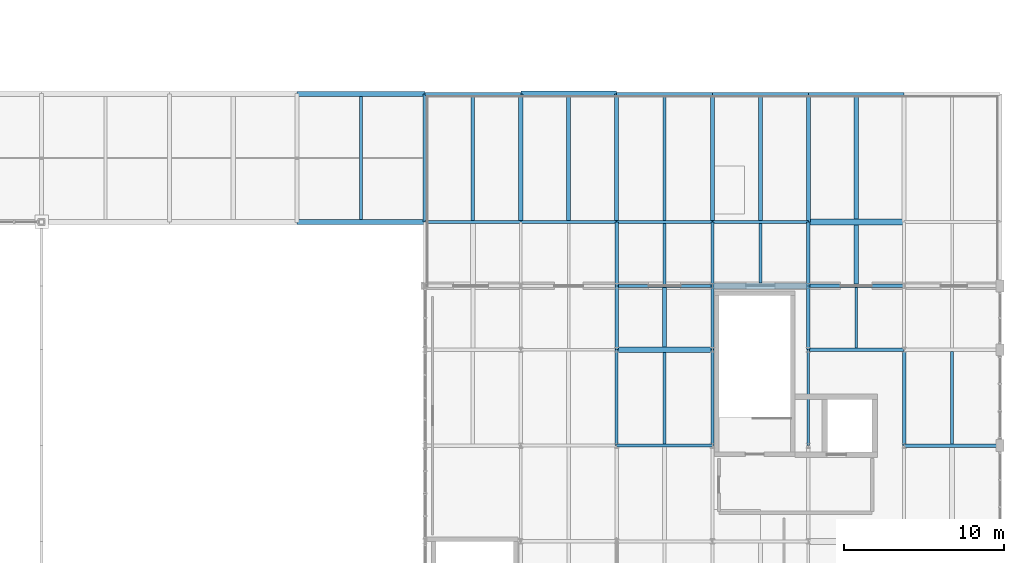
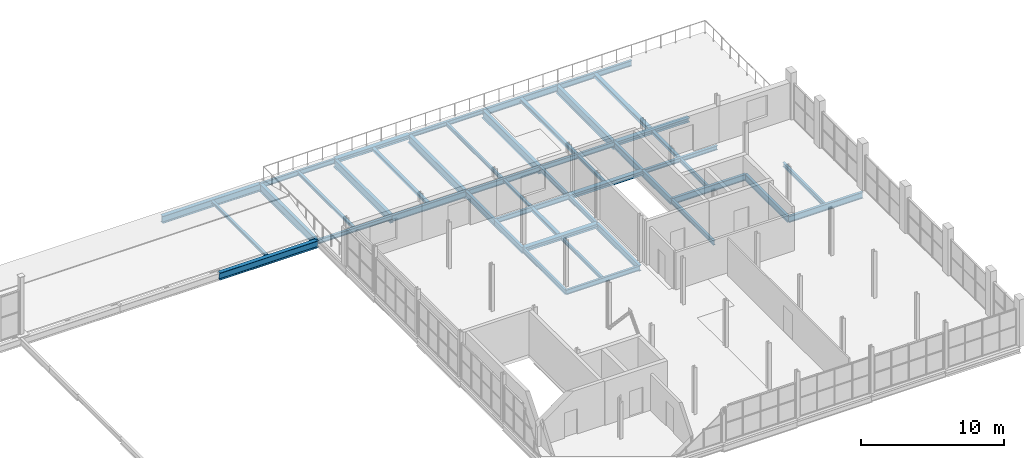
# One storey, part 70 of 96: 47 beams.
"""IFC4 building model written with IfcOpenShell, lengths in metres."""

from ifc_helpers import new_model, si_unit, direction, frame, origin, origin_2d, place, context, subcontext, project, spatial, i_section, extrude, material, material_profile, profile_set, type_object, element, save


model = new_model("IFC4")

# Units and contexts
model_context = context("Model", 3, precision=1e-05, world=origin(), true_north=direction((0.0, 1.0)))
body_context = subcontext(model_context, "Body", "Model", "MODEL_VIEW")
ifc_project = project(units=[si_unit("LENGTHUNIT", "METRE"), si_unit("AREAUNIT", "SQUARE_METRE"), si_unit("VOLUMEUNIT", "CUBIC_METRE"), si_unit("PLANEANGLEUNIT", "RADIAN"), si_unit("MASSUNIT", "GRAM", prefix="KILO")], contexts=[model_context])

# Site, building, storey
site_placement = place(None, origin())
site = spatial("IfcSite", under=ifc_project, at=site_placement, CompositionType="ELEMENT")
building_placement = place(site_placement, origin())
building = spatial("IfcBuilding", under=site, at=building_placement, Name="Verrall Gate Interchange", CompositionType="ELEMENT")
storey_placement = place(building_placement, frame((0.0, 0.0, 11.39990234375)))
storey = spatial("IfcBuildingStorey", under=building, at=storey_placement, Name="L03", CompositionType="ELEMENT", Elevation=11.39990234375)

# Beams
ifc_material_1 = material(Name="Structural Steel CSA G40.21 350WT Cat 4", Category="steel")
ifc_material_profile_1 = material_profile(ifc_material_1, i_section(OverallWidth=0.256103515625, OverallDepth=0.693115234375, WebThickness=0.01318359375, FlangeThickness=0.02001953125, FilletRadius=0.01611328125, at=origin_2d()), Name="W690x170")
ifc_profile_set_1 = profile_set([ifc_material_profile_1], Name="Structural Steel CSA G40.21 350WT Cat 4")
beam_type_1 = type_object("IfcBeamType", Name="B-07 Structural Beam W690x170", PredefinedType="BEAM", material=ifc_profile_set_1)
for number, where, z_axis, x_axis, name in (
    (1, (132.0, 48.0, -0.676513671875), (0.0, 1.0, 0.0), (-1.0, 0.0, 0.0), "L03 Girder BM-L03-2330 (B-07)"),
    (2, (138.0, 48.0, -0.676513671875), (0.0, 1.0, 0.0), (-1.0, 0.0, 0.0), "L03 Girder BM-L03-2338 (B-07)"),
    (3, (144.0, 48.0, -0.676513671875), (0.0, 1.0, 0.0), (-1.0, 0.0, 0.0), "L03 Girder BM-L03-2346 (B-07)"),
    (4, (150.0, 48.0, -0.676513671875), (0.0, 1.0, 0.0), (-1.0, 0.0, 0.0), "L03 Girder BM-L03-2354 (B-07)"),
    (5, (156.0, 48.0, -0.676513671875), (0.0, 1.0, 0.0), (-1.0, 0.0, 0.0), "L03 Girder BM-L03-2362 (B-07)"),
):
    element("IfcBeam", number, at=place(storey_placement, frame(where, z_axis=z_axis, x_axis=x_axis)), inside=storey, type_object=beam_type_1, Name=name, PredefinedType="BEAM", context=body_context, shape_type="SweptSolid", body=[
        extrude(i_section(OverallWidth=0.256103515625, OverallDepth=0.693115234375, WebThickness=0.01318359375, FlangeThickness=0.02001953125, FilletRadius=0.01611328125, at=origin_2d()), origin(), (0.0, 0.0, 1.0), 8.0),
    ])
ifc_material_2 = material(Name="Structural Steel CSA G40.21 350WT Cat 4", Category="steel")
ifc_material_profile_2 = material_profile(ifc_material_2, i_section(OverallWidth=0.323974609375, OverallDepth=0.611083984375, WebThickness=0.0126953125, FlangeThickness=0.01904296875, FilletRadius=0.014892578125, at=origin_2d()), Name="W610x155")
ifc_profile_set_2 = profile_set([ifc_material_profile_2], Name="Structural Steel CSA G40.21 350WT Cat 4")
beam_type_2 = type_object("IfcBeamType", Name="B-08 Structural Beam W610x155", PredefinedType="BEAM", material=ifc_profile_set_2)
for number, where, z_axis, x_axis, name in (
    (6, (124.0, 48.0, -0.635498046875), (1.0, 0.0, 0.0), (0.0, 1.0, 0.0), "L03 Girder BM-L03-2121 (B-08)"),
    (7, (124.0, 56.0, -0.635498046875), (1.0, 0.0, 0.0), (0.0, 1.0, 0.0), "L03 Girder BM-L03-2143 (B-08)"),
):
    element("IfcBeam", number, at=place(storey_placement, frame(where, z_axis=z_axis, x_axis=x_axis)), inside=storey, type_object=beam_type_2, Name=name, PredefinedType="BEAM", context=body_context, shape_type="SweptSolid", body=[
        extrude(i_section(OverallWidth=0.323974609375, OverallDepth=0.611083984375, WebThickness=0.0126953125, FlangeThickness=0.01904296875, FilletRadius=0.014892578125, at=origin_2d()), origin(), (0.0, 0.0, 1.0), 8.0),
    ])
ifc_material_3 = material(Name="Structural Steel CSA G40.21 350W", Category="steel")
ifc_material_profile_3 = material_profile(ifc_material_3, i_section(OverallWidth=0.2109375, OverallDepth=0.5390625, WebThickness=0.01171875, FlangeThickness=0.018798828125, FilletRadius=0.013916015625, at=origin_2d()), Name="W530x109")
ifc_profile_set_3 = profile_set([ifc_material_profile_3], Name="Structural Steel CSA G40.21 350W")
beam_type_3 = type_object("IfcBeamType", Name="B-10 Structural Beam W530x109", PredefinedType="BEAM", material=ifc_profile_set_3)
for number, where, z_axis, x_axis, name in (
    (8, (162.0, 34.0, -0.599365234375), (1.0, 0.0, 0.0), (0.0, 1.0, 0.0), "L03 Girder BM-L03-2073 (B-10)"),
    (9, (156.0, 40.0, -0.599365234375), (1.0, 0.0, 0.0), (0.0, 1.0, 0.0), "L03 Girder BM-L03-2083 (B-10)"),
    (10, (138.0, 48.0, -0.599365234375), (1.0, 0.0, 0.0), (0.0, 1.0, 0.0), "L03 Girder BM-L03-2123 (B-10)"),
    (11, (150.0, 56.0, -0.599365234375), (1.0, 0.0, 0.0), (0.0, 1.0, 0.0), "L03 Girder BM-L03-2147 (B-10)"),
):
    element("IfcBeam", number, at=place(storey_placement, frame(where, z_axis=z_axis, x_axis=x_axis)), inside=storey, type_object=beam_type_3, Name=name, PredefinedType="BEAM", context=body_context, shape_type="SweptSolid", body=[
        extrude(i_section(OverallWidth=0.2109375, OverallDepth=0.5390625, WebThickness=0.01171875, FlangeThickness=0.018798828125, FilletRadius=0.013916015625, at=origin_2d()), origin(), (0.0, 0.0, 1.0), 6.0),
    ])
for number, where, z_axis, x_axis, name in (
    (12, (144.0, 40.0, -0.599365234375), (0.0, 1.0, 0.0), (-1.0, 0.0, 0.0), "L03 Girder BM-L03-2344 (B-10)"),
    (13, (144.0, 44.0, -0.599365234375), (0.0, 1.0, 0.0), (-1.0, 0.0, 0.0), "L03 Girder BM-L03-2345 (B-10)"),
):
    element("IfcBeam", number, at=place(storey_placement, frame(where, z_axis=z_axis, x_axis=x_axis)), inside=storey, type_object=beam_type_3, Name=name, PredefinedType="BEAM", context=body_context, shape_type="SweptSolid", body=[
        extrude(i_section(OverallWidth=0.2109375, OverallDepth=0.5390625, WebThickness=0.01171875, FlangeThickness=0.018798828125, FilletRadius=0.013916015625, at=origin_2d()), origin(), (0.0, 0.0, 1.0), 4.0),
    ])
beam_1_placement = place(storey_placement, frame((150.0, 34.0, -0.599365234375), z_axis=(0.0, 1.0, 0.0), x_axis=(-1.0, 0.0, 0.0)))
element("IfcBeam", 14, at=beam_1_placement, inside=storey, type_object=beam_type_3, Name="L03 Girder BM-L03-2351 (B-10)", PredefinedType="BEAM", context=body_context, shape_type="SweptSolid", body=[
    extrude(i_section(OverallWidth=0.2109375, OverallDepth=0.5390625, WebThickness=0.01171875, FlangeThickness=0.018798828125, FilletRadius=0.013916015625, at=origin_2d()), origin(), (0.0, 0.0, 1.0), 6.0),
])
for number, where, z_axis, x_axis, name in (
    (15, (156.0, 40.0, -0.599365234375), (0.0, 1.0, 0.0), (-1.0, 0.0, 0.0), "L03 Girder BM-L03-2360 (B-10)"),
    (16, (156.0, 44.0, -0.599365234375), (0.0, 1.0, 0.0), (-1.0, 0.0, 0.0), "L03 Girder BM-L03-2361 (B-10)"),
):
    element("IfcBeam", number, at=place(storey_placement, frame(where, z_axis=z_axis, x_axis=x_axis)), inside=storey, type_object=beam_type_3, Name=name, PredefinedType="BEAM", context=body_context, shape_type="SweptSolid", body=[
        extrude(i_section(OverallWidth=0.2109375, OverallDepth=0.5390625, WebThickness=0.01171875, FlangeThickness=0.018798828125, FilletRadius=0.013916015625, at=origin_2d()), origin(), (0.0, 0.0, 1.0), 4.0),
    ])
beam_2_placement = place(storey_placement, frame((162.0, 34.0, -0.599365234375), z_axis=(0.0, 1.0, 0.0), x_axis=(-1.0, 0.0, 0.0)))
element("IfcBeam", 17, at=beam_2_placement, inside=storey, type_object=beam_type_3, Name="L03 Girder BM-L03-2367 (B-10)", PredefinedType="BEAM", context=body_context, shape_type="SweptSolid", body=[
    extrude(i_section(OverallWidth=0.2109375, OverallDepth=0.5390625, WebThickness=0.01171875, FlangeThickness=0.018798828125, FilletRadius=0.013916015625, at=origin_2d()), origin(), (0.0, 0.0, 1.0), 6.0),
])
ifc_material_4 = material(Name="Structural Steel CSA G40.21 350W", Category="steel")
ifc_material_profile_4 = material_profile(ifc_material_4, i_section(OverallWidth=0.19189453125, OverallDepth=0.462890625, WebThickness=0.010498046875, FlangeThickness=0.017578125, FilletRadius=0.012939453125, at=origin_2d()), Name="W460x89")
ifc_profile_set_4 = profile_set([ifc_material_profile_4], Name="Structural Steel CSA G40.21 350W")
beam_type_4 = type_object("IfcBeamType", Name="B-11 Structural Beam W460x89", PredefinedType="BEAM", material=ifc_profile_set_4)
for number, where, z_axis, x_axis, name in (
    (18, (144.0, 48.0, -0.5615234375), (1.0, 0.0, 0.0), (0.0, 1.0, 0.0), "L03 Girder BM-L03-2124 (B-11)"),
    (19, (156.0, 56.0, -0.5615234375), (1.0, 0.0, 0.0), (0.0, 1.0, 0.0), "L03 Girder BM-L03-2148 (B-11)"),
):
    element("IfcBeam", number, at=place(storey_placement, frame(where, z_axis=z_axis, x_axis=x_axis)), inside=storey, type_object=beam_type_4, Name=name, PredefinedType="BEAM", context=body_context, shape_type="SweptSolid", body=[
        extrude(i_section(OverallWidth=0.19189453125, OverallDepth=0.462890625, WebThickness=0.010498046875, FlangeThickness=0.017578125, FilletRadius=0.012939453125, at=origin_2d()), origin(), (0.0, 0.0, 1.0), 6.0),
    ])
ifc_material_5 = material(Name="Structural Steel CSA G40.21 350W", Category="steel")
ifc_material_profile_5 = material_profile(ifc_material_5, i_section(OverallWidth=0.178955078125, OverallDepth=0.409912109375, WebThickness=0.0087890625, FlangeThickness=0.014404296875, FilletRadius=0.011962890625, at=origin_2d()), Name="W410x67")
ifc_profile_set_5 = profile_set([ifc_material_profile_5], Name="Structural Steel CSA G40.21 350W")
beam_type_5 = type_object("IfcBeamType", Name="B-12 Structural Beam W410x67", PredefinedType="BEAM", material=ifc_profile_set_5)
for number, where, z_axis, x_axis, name in (
    (20, (144.0, 34.0, -0.534912109375), (1.0, 0.0, 0.0), (0.0, 1.0, 0.0), "L03 Girder BM-L03-2072 (B-12)"),
    (21, (144.0, 44.0, -0.534912109375), (1.0, 0.0, 0.0), (0.0, 1.0, 0.0), "L03 Girder BM-L03-2099 (B-12)"),
    (22, (150.0, 48.0, -0.534912109375), (1.0, 0.0, 0.0), (0.0, 1.0, 0.0), "L03 Girder BM-L03-2125 (B-12)"),
    (23, (132.0, 56.0, -0.534912109375), (1.0, 0.0, 0.0), (0.0, 1.0, 0.0), "L03 Girder BM-L03-2144 (B-12)"),
    (24, (144.0, 34.0, -0.534912109375), (0.0, 1.0, 0.0), (-1.0, 0.0, 0.0), "L03 Girder BM-L03-2343 (B-12)"),
):
    element("IfcBeam", number, at=place(storey_placement, frame(where, z_axis=z_axis, x_axis=x_axis)), inside=storey, type_object=beam_type_5, Name=name, PredefinedType="BEAM", context=body_context, shape_type="SweptSolid", body=[
        extrude(i_section(OverallWidth=0.178955078125, OverallDepth=0.409912109375, WebThickness=0.0087890625, FlangeThickness=0.014404296875, FilletRadius=0.011962890625, at=origin_2d()), origin(), (0.0, 0.0, 1.0), 6.0),
    ])
for number, where, z_axis, x_axis, name in (
    (25, (150.0, 40.0, -0.534912109375), (0.0, 1.0, 0.0), (-1.0, 0.0, 0.0), "L03 Girder BM-L03-2352 (B-12)"),
    (26, (150.0, 44.0, -0.534912109375), (0.0, 1.0, 0.0), (-1.0, 0.0, 0.0), "L03 Girder BM-L03-2353 (B-12)"),
):
    element("IfcBeam", number, at=place(storey_placement, frame(where, z_axis=z_axis, x_axis=x_axis)), inside=storey, type_object=beam_type_5, Name=name, PredefinedType="BEAM", context=body_context, shape_type="SweptSolid", body=[
        extrude(i_section(OverallWidth=0.178955078125, OverallDepth=0.409912109375, WebThickness=0.0087890625, FlangeThickness=0.014404296875, FilletRadius=0.011962890625, at=origin_2d()), origin(), (0.0, 0.0, 1.0), 4.0),
    ])
beam_3_placement = place(storey_placement, frame((156.0, 34.0, -0.534912109375), z_axis=(0.0, 1.0, 0.0), x_axis=(-1.0, 0.0, 0.0)))
element("IfcBeam", 27, at=beam_3_placement, inside=storey, type_object=beam_type_5, Name="L03 Girder BM-L03-2359 (B-12)", PredefinedType="BEAM", context=body_context, shape_type="SweptSolid", body=[
    extrude(i_section(OverallWidth=0.178955078125, OverallDepth=0.409912109375, WebThickness=0.0087890625, FlangeThickness=0.014404296875, FilletRadius=0.011962890625, at=origin_2d()), origin(), (0.0, 0.0, 1.0), 6.0),
])
ifc_material_6 = material(Name="Structural Steel CSA G40.21 350W", Category="steel")
ifc_material_profile_6 = material_profile(ifc_material_6, i_section(OverallWidth=0.368896484375, OverallDepth=0.35595703125, WebThickness=0.01123046875, FlangeThickness=0.01806640625, FilletRadius=0.014892578125, at=origin_2d()), Name="W360x134")
ifc_profile_set_6 = profile_set([ifc_material_profile_6], Name="Structural Steel CSA G40.21 350W")
beam_type_6 = type_object("IfcBeamType", Name="B-13 Structural Beam W360x134", PredefinedType="BEAM", material=ifc_profile_set_6)
for number, where, z_axis, x_axis, name in (
    (28, (144.0, 40.0, -0.5078125), (1.0, 0.0, 0.0), (0.0, 1.0, 0.0), "L03 Girder BM-L03-2082 (B-13)"),
    (29, (150.0, 44.0, -0.5078125), (1.0, 0.0, 0.0), (0.0, 1.0, 0.0), "L03 Girder BM-L03-2100 (B-13)"),
    (30, (156.0, 48.0, -0.5078125), (1.0, 0.0, 0.0), (0.0, 1.0, 0.0), "L03 Girder BM-L03-2126 (B-13)"),
    (31, (138.0, 56.0, -0.5078125), (1.0, 0.0, 0.0), (0.0, 1.0, 0.0), "L03 Girder BM-L03-2145 (B-13)"),
):
    element("IfcBeam", number, at=place(storey_placement, frame(where, z_axis=z_axis, x_axis=x_axis)), inside=storey, type_object=beam_type_6, Name=name, PredefinedType="BEAM", context=body_context, shape_type="SweptSolid", body=[
        extrude(i_section(OverallWidth=0.368896484375, OverallDepth=0.35595703125, WebThickness=0.01123046875, FlangeThickness=0.01806640625, FilletRadius=0.014892578125, at=origin_2d()), origin(), (0.0, 0.0, 1.0), 6.0),
    ])
ifc_material_7 = material(Name="Structural Steel CSA G40.21 350W", Category="steel")
ifc_material_profile_7 = material_profile(ifc_material_7, i_section(OverallWidth=0.205078125, OverallDepth=0.35400390625, WebThickness=0.009521484375, FlangeThickness=0.016845703125, FilletRadius=0.012939453125, at=origin_2d()), Name="W360x79")
ifc_profile_set_7 = profile_set([ifc_material_profile_7], Name="Structural Steel CSA G40.21 350W")
beam_type_7 = type_object("IfcBeamType", Name="B-14 Structural Beam W360x79", PredefinedType="BEAM", material=ifc_profile_set_7)
for number, where, z_axis, x_axis, name in (
    (32, (156.0, 44.0, -0.5068359375), (1.0, 0.0, 0.0), (0.0, 1.0, 0.0), "L03 Girder BM-L03-2101 (B-14)"),
    (33, (132.0, 48.0, -0.5068359375), (1.0, 0.0, 0.0), (0.0, 1.0, 0.0), "L03 Girder BM-L03-2122 (B-14)"),
    (34, (144.0, 56.0, -0.5068359375), (1.0, 0.0, 0.0), (0.0, 1.0, 0.0), "L03 Girder BM-L03-2146 (B-14)"),
):
    element("IfcBeam", number, at=place(storey_placement, frame(where, z_axis=z_axis, x_axis=x_axis)), inside=storey, type_object=beam_type_7, Name=name, PredefinedType="BEAM", context=body_context, shape_type="SweptSolid", body=[
        extrude(i_section(OverallWidth=0.205078125, OverallDepth=0.35400390625, WebThickness=0.009521484375, FlangeThickness=0.016845703125, FilletRadius=0.012939453125, at=origin_2d()), origin(), (0.0, 0.0, 1.0), 6.0),
    ])
ifc_material_8 = material(Name="Structural Steel CSA G40.21 350W", Category="steel")
ifc_material_profile_8 = material_profile(ifc_material_8, i_section(OverallWidth=0.172119140625, OverallDepth=0.35791015625, WebThickness=0.0078125, FlangeThickness=0.01318359375, FilletRadius=0.010986328125, at=origin_2d()), Name="W360x57")
ifc_profile_set_8 = profile_set([ifc_material_profile_8], Name="Structural Steel CSA G40.21 350W")
beam_type_8 = type_object("IfcBeamType", Name="J-01 Floor Joist W360x57", PredefinedType="JOIST", material=ifc_profile_set_8)
beam_4_placement = place(storey_placement, frame((165.0, 34.10546875, -0.5087890625), z_axis=(0.0, 1.0, 0.0), x_axis=(-1.0, 0.0, 0.0)))
element("IfcBeam", 35, at=beam_4_placement, inside=storey, type_object=beam_type_8, Name="L03 Secondary Floor Joist JST-L03-2453", PredefinedType="JOIST", context=body_context, shape_type="SweptSolid", body=[
    extrude(i_section(OverallWidth=0.172119140625, OverallDepth=0.35791015625, WebThickness=0.0078125, FlangeThickness=0.01318359375, FilletRadius=0.010986328125, at=origin_2d()), origin(), (0.0, 0.0, 1.0), 5.798583984375),
])
beam_5_placement = place(storey_placement, frame((159.0, 40.10546875, -0.5087890625), z_axis=(0.0, 1.0, 0.0), x_axis=(-1.0, 0.0, 0.0)))
element("IfcBeam", 36, at=beam_5_placement, inside=storey, type_object=beam_type_8, Name="L03 Secondary Floor Joist JST-L03-2461", PredefinedType="JOIST", context=body_context, shape_type="SweptSolid", body=[
    extrude(i_section(OverallWidth=0.172119140625, OverallDepth=0.35791015625, WebThickness=0.0078125, FlangeThickness=0.01318359375, FilletRadius=0.010986328125, at=origin_2d()), origin(), (0.0, 0.0, 1.0), 3.7919921875),
])
ifc_material_9 = material(Name="Structural Steel CSA G40.21 350W", Category="steel")
ifc_material_profile_9 = material_profile(ifc_material_9, i_section(OverallWidth=0.306884765625, OverallDepth=0.31396484375, WebThickness=0.011962890625, FlangeThickness=0.018798828125, FilletRadius=0.013916015625, at=origin_2d()), Name="W310x118")
ifc_profile_set_9 = profile_set([ifc_material_profile_9], Name="Structural Steel CSA G40.21 350W")
beam_type_9 = type_object("IfcBeamType", Name="J-02 Floor Joist W310x118", PredefinedType="JOIST", material=ifc_profile_set_9)
beam_6_placement = place(storey_placement, frame((159.0, 48.1845703125, -0.48681640625), z_axis=(0.0, 1.0, 0.0), x_axis=(-1.0, 0.0, 0.0)))
element("IfcBeam", 37, at=beam_6_placement, inside=storey, type_object=beam_type_9, Name="L03 Secondary Floor Joist JST-L03-2499", PredefinedType="JOIST", context=body_context, shape_type="SweptSolid", body=[
    extrude(i_section(OverallWidth=0.306884765625, OverallDepth=0.31396484375, WebThickness=0.011962890625, FlangeThickness=0.018798828125, FilletRadius=0.013916015625, at=origin_2d()), origin(), (0.0, 0.0, 1.0), 7.719482421875),
])
ifc_material_10 = material(Name="Structural Steel CSA G40.21 350W", Category="steel")
ifc_material_profile_10 = material_profile(ifc_material_10, i_section(OverallWidth=0.25390625, OverallDepth=0.305908203125, WebThickness=0.0087890625, FlangeThickness=0.0146484375, FilletRadius=0.012939453125, at=origin_2d()), Name="W310x79")
ifc_profile_set_10 = profile_set([ifc_material_profile_10], Name="Structural Steel CSA G40.21 350W")
beam_type_10 = type_object("IfcBeamType", Name="J-03 Floor Joist W310x79", PredefinedType="JOIST", material=ifc_profile_set_10)
beam_7_placement = place(storey_placement, frame((147.0, 40.1845703125, -0.48291015625), z_axis=(0.0, 1.0, 0.0), x_axis=(-1.0, 0.0, 0.0)))
element("IfcBeam", 38, at=beam_7_placement, inside=storey, type_object=beam_type_10, Name="L03 Secondary Floor Joist JST-L03-2460", PredefinedType="JOIST", context=body_context, shape_type="SweptSolid", body=[
    extrude(i_section(OverallWidth=0.25390625, OverallDepth=0.305908203125, WebThickness=0.0087890625, FlangeThickness=0.0146484375, FilletRadius=0.012939453125, at=origin_2d()), origin(), (0.0, 0.0, 1.0), 3.725830078125),
])
beam_8_placement = place(storey_placement, frame((153.0, 48.089599609375, -0.48291015625), z_axis=(0.0, 1.0, 0.0), x_axis=(-1.0, 0.0, 0.0)))
element("IfcBeam", 39, at=beam_8_placement, inside=storey, type_object=beam_type_10, Name="L03 Secondary Floor Joist JST-L03-2498", PredefinedType="JOIST", context=body_context, shape_type="SweptSolid", body=[
    extrude(i_section(OverallWidth=0.25390625, OverallDepth=0.305908203125, WebThickness=0.0087890625, FlangeThickness=0.0146484375, FilletRadius=0.012939453125, at=origin_2d()), origin(), (0.0, 0.0, 1.0), 7.804931640625),
])
ifc_material_11 = material(Name="Structural Steel CSA G40.21 350W", Category="steel")
ifc_material_profile_11 = material_profile(ifc_material_11, i_section(OverallWidth=0.1650390625, OverallDepth=0.31005859375, WebThickness=0.005859375, FlangeThickness=0.009765625, FilletRadius=0.010009765625, at=origin_2d()), Name="W310x39")
ifc_profile_set_11 = profile_set([ifc_material_profile_11], Name="Structural Steel CSA G40.21 350W")
beam_type_11 = type_object("IfcBeamType", Name="J-04 Floor Joist W310x39", PredefinedType="JOIST", material=ifc_profile_set_11)
beam_9_placement = place(storey_placement, frame((147.0, 34.089599609375, -0.48486328125), z_axis=(0.0, 1.0, 0.0), x_axis=(-1.0, 0.0, 0.0)))
element("IfcBeam", 40, at=beam_9_placement, inside=storey, type_object=beam_type_11, Name="L03 Secondary Floor Joist JST-L03-2452", PredefinedType="JOIST", context=body_context, shape_type="SweptSolid", body=[
    extrude(i_section(OverallWidth=0.1650390625, OverallDepth=0.31005859375, WebThickness=0.005859375, FlangeThickness=0.009765625, FilletRadius=0.010009765625, at=origin_2d()), origin(), (0.0, 0.0, 1.0), 5.725830078125),
])
beam_10_placement = place(storey_placement, frame((147.0, 48.095947265625, -0.48486328125), z_axis=(0.0, 1.0, 0.0), x_axis=(-1.0, 0.0, 0.0)))
element("IfcBeam", 41, at=beam_10_placement, inside=storey, type_object=beam_type_11, Name="L03 Secondary Floor Joist JST-L03-2497", PredefinedType="JOIST", context=body_context, shape_type="SweptSolid", body=[
    extrude(i_section(OverallWidth=0.1650390625, OverallDepth=0.31005859375, WebThickness=0.005859375, FlangeThickness=0.009765625, FilletRadius=0.010009765625, at=origin_2d()), origin(), (0.0, 0.0, 1.0), 7.801513671875),
])
ifc_material_12 = material(Name="Structural Steel CSA G40.21 350W", Category="steel")
ifc_material_profile_12 = material_profile(ifc_material_12, i_section(OverallWidth=0.25390625, OverallDepth=0.2529296875, WebThickness=0.008544921875, FlangeThickness=0.01416015625, FilletRadius=0.011962890625, at=origin_2d()), Name="W250x73")
ifc_profile_set_12 = profile_set([ifc_material_profile_12], Name="Structural Steel CSA G40.21 350W")
beam_type_12 = type_object("IfcBeamType", Name="J-05 Floor Joist W250x73", PredefinedType="JOIST", material=ifc_profile_set_12)
beam_11_placement = place(storey_placement, frame((159.0, 44.1025390625, -0.456298828125), z_axis=(0.0, 1.0, 0.0), x_axis=(-1.0, 0.0, 0.0)))
element("IfcBeam", 42, at=beam_11_placement, inside=storey, type_object=beam_type_12, Name="L03 Secondary Floor Joist JST-L03-2478", PredefinedType="JOIST", context=body_context, shape_type="SweptSolid", body=[
    extrude(i_section(OverallWidth=0.25390625, OverallDepth=0.2529296875, WebThickness=0.008544921875, FlangeThickness=0.01416015625, FilletRadius=0.011962890625, at=origin_2d()), origin(), (0.0, 0.0, 1.0), 3.712890625),
])
beam_12_placement = place(storey_placement, frame((141.0, 48.10546875, -0.456298828125), z_axis=(0.0, 1.0, 0.0), x_axis=(-1.0, 0.0, 0.0)))
element("IfcBeam", 43, at=beam_12_placement, inside=storey, type_object=beam_type_12, Name="L03 Secondary Floor Joist JST-L03-2496", PredefinedType="JOIST", context=body_context, shape_type="SweptSolid", body=[
    extrude(i_section(OverallWidth=0.25390625, OverallDepth=0.2529296875, WebThickness=0.008544921875, FlangeThickness=0.01416015625, FilletRadius=0.011962890625, at=origin_2d()), origin(), (0.0, 0.0, 1.0), 7.7099609375),
])
ifc_material_13 = material(Name="Structural Steel CSA G40.21 350W", Category="steel")
ifc_material_profile_13 = material_profile(ifc_material_13, i_section(OverallWidth=0.201904296875, OverallDepth=0.2470703125, WebThickness=0.00732421875, FlangeThickness=0.010986328125, FilletRadius=0.010986328125, at=origin_2d()), Name="W250x49")
ifc_profile_set_13 = profile_set([ifc_material_profile_13], Name="Structural Steel CSA G40.21 350W")
beam_type_13 = type_object("IfcBeamType", Name="J-06 Floor Joist W250x49", PredefinedType="JOIST", material=ifc_profile_set_13)
beam_13_placement = place(storey_placement, frame((153.0, 44.1845703125, -0.453369140625), z_axis=(0.0, 1.0, 0.0), x_axis=(-1.0, 0.0, 0.0)))
element("IfcBeam", 44, at=beam_13_placement, inside=storey, type_object=beam_type_13, Name="L03 Secondary Floor Joist JST-L03-2477", PredefinedType="JOIST", context=body_context, shape_type="SweptSolid", body=[
    extrude(i_section(OverallWidth=0.201904296875, OverallDepth=0.2470703125, WebThickness=0.00732421875, FlangeThickness=0.010986328125, FilletRadius=0.010986328125, at=origin_2d()), origin(), (0.0, 0.0, 1.0), 3.725830078125),
])
beam_14_placement = place(storey_placement, frame((128.0, 48.162109375, -0.453369140625), z_axis=(0.0, 1.0, 0.0), x_axis=(-1.0, 0.0, 0.0)))
element("IfcBeam", 45, at=beam_14_placement, inside=storey, type_object=beam_type_13, Name="L03 Secondary Floor Joist JST-L03-2494", PredefinedType="JOIST", context=body_context, shape_type="SweptSolid", body=[
    extrude(i_section(OverallWidth=0.201904296875, OverallDepth=0.2470703125, WebThickness=0.00732421875, FlangeThickness=0.010986328125, FilletRadius=0.010986328125, at=origin_2d()), origin(), (0.0, 0.0, 1.0), 7.67578125),
])
beam_15_placement = place(storey_placement, frame((135.0, 48.1025390625, -0.453369140625), z_axis=(0.0, 1.0, 0.0), x_axis=(-1.0, 0.0, 0.0)))
element("IfcBeam", 46, at=beam_15_placement, inside=storey, type_object=beam_type_13, Name="L03 Secondary Floor Joist JST-L03-2495", PredefinedType="JOIST", context=body_context, shape_type="SweptSolid", body=[
    extrude(i_section(OverallWidth=0.201904296875, OverallDepth=0.2470703125, WebThickness=0.00732421875, FlangeThickness=0.010986328125, FilletRadius=0.010986328125, at=origin_2d()), origin(), (0.0, 0.0, 1.0), 7.807861328125),
])
ifc_material_14 = material(Name="Structural Steel CSA G40.21 350W", Category="steel")
ifc_material_profile_14 = material_profile(ifc_material_14, i_section(OverallWidth=0.202880859375, OverallDepth=0.202880859375, WebThickness=0.007080078125, FlangeThickness=0.010986328125, FilletRadius=0.010009765625, at=origin_2d()), Name="W200x46")
ifc_profile_set_14 = profile_set([ifc_material_profile_14], Name="Structural Steel CSA G40.21 350W")
beam_type_14 = type_object("IfcBeamType", Name="J-07 Floor Joist W200x46", PredefinedType="JOIST", material=ifc_profile_set_14)
beam_16_placement = place(storey_placement, frame((147.0, 44.089599609375, -0.431396484375), z_axis=(0.0, 1.0, 0.0), x_axis=(-1.0, 0.0, 0.0)))
element("IfcBeam", 47, at=beam_16_placement, inside=storey, type_object=beam_type_14, Name="L03 Secondary Floor Joist JST-L03-2476", PredefinedType="JOIST", context=body_context, shape_type="SweptSolid", body=[
    extrude(i_section(OverallWidth=0.202880859375, OverallDepth=0.202880859375, WebThickness=0.007080078125, FlangeThickness=0.010986328125, FilletRadius=0.010009765625, at=origin_2d()), origin(), (0.0, 0.0, 1.0), 3.814453125),
])

save(model, "model.ifc")
